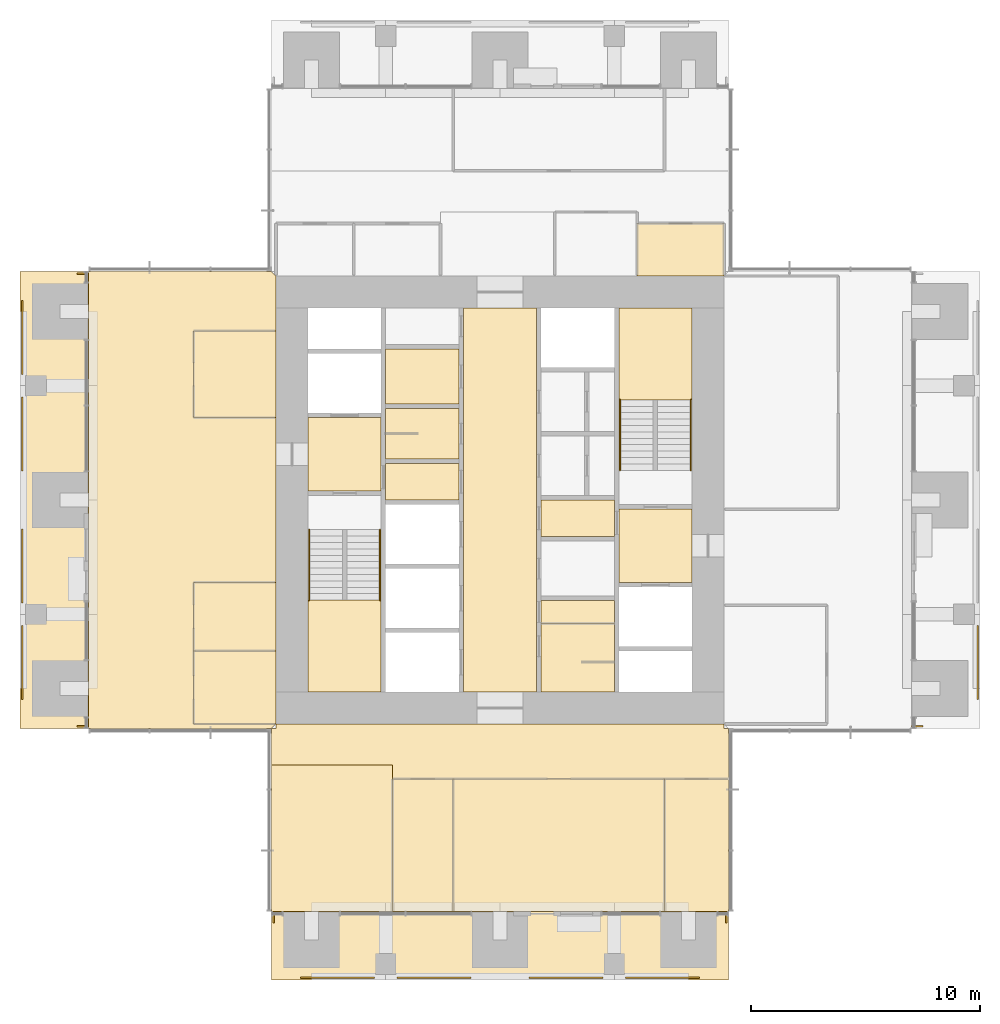
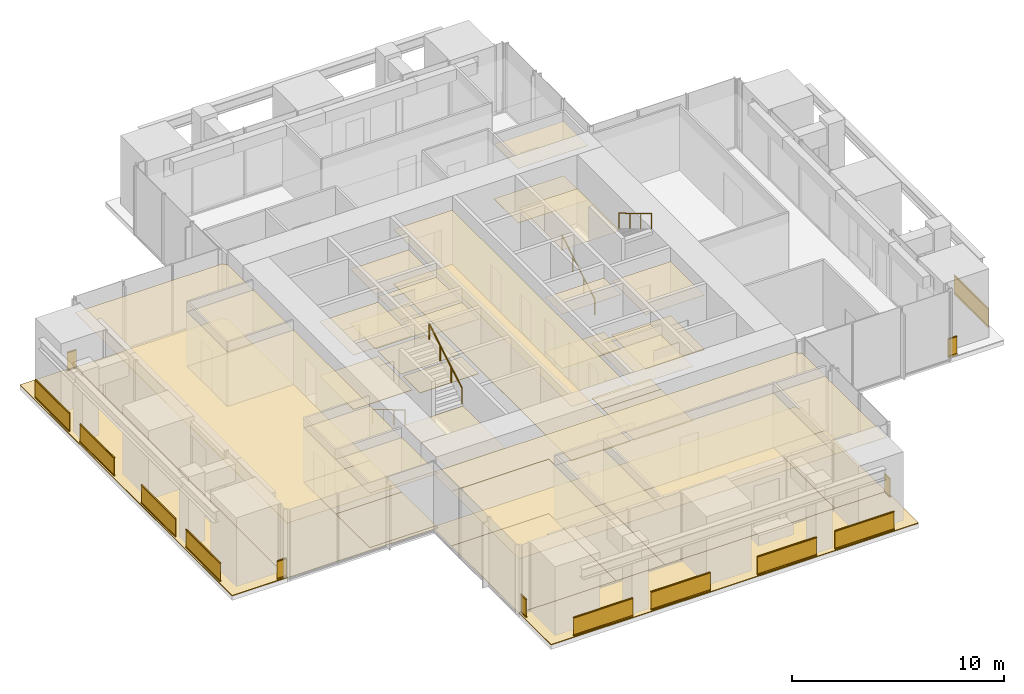
# One storey, part 15 of 17: 42 coverings, 18 railings.
"""IFC4 building model written with IfcOpenShell, lengths in metres."""

from ifc_helpers import new_model, si_unit, direction, frame, origin, origin_2d, place, context, subcontext, project, spatial, polyline, rectangle, circle, outline, extrude, material, layer, layer_set, type_object, element, save


model = new_model("IFC4")

# Units and contexts
model_context = context("Model", 3, precision=1e-05, world=origin(), true_north=direction((0.0, 1.0)))
body_context = subcontext(model_context, "Body", "Model", "MODEL_VIEW")
ifc_project = project(units=[si_unit("LENGTHUNIT", "METRE"), si_unit("AREAUNIT", "SQUARE_METRE"), si_unit("VOLUMEUNIT", "CUBIC_METRE"), si_unit("PLANEANGLEUNIT", "RADIAN"), si_unit("MASSUNIT", "GRAM", prefix="KILO")], contexts=[model_context])

# Site, building, storey
site_placement = place(None, origin())
site = spatial("IfcSite", under=ifc_project, at=site_placement, CompositionType="ELEMENT")
building_placement = place(site_placement, origin())
building = spatial("IfcBuilding", under=site, at=building_placement, Name="Svetlomir Tower", CompositionType="ELEMENT")
storey_placement = place(building_placement, frame((0.0, 0.0, 218.5)))
storey = spatial("IfcBuildingStorey", under=building, at=storey_placement, Name="L52", CompositionType="ELEMENT", Elevation=218.5)

# Railings
ifc_material_1 = material(Name="Bronze anodised aluminium and laminated glass", Category="aluminium")
railing_type_1 = type_object("IfcRailingType", Name="BALCONY GUARD GR1 1100", PredefinedType="GUARDRAIL", material=ifc_material_1)
for number, where, name in (
    (1, (12.27490234375, 0.10009765625, 0.0), "Loggia guard S L52 bay 1"),
    (2, (16.5, 0.10009765625, 0.0), "Loggia guard S L52 bay 2"),
    (3, (22.27490234375, 0.10009765625, 0.0), "Loggia guard S L52 bay 3"),
    (4, (26.5, 0.10009765625, 0.0), "Loggia guard S L52 bay 4"),
):
    element("IfcRailing", number, at=place(storey_placement, frame(where)), inside=storey, type_object=railing_type_1, Name=name, PredefinedType="GUARDRAIL", context=body_context, shape_type="SweptSolid", body=[
        extrude(rectangle(XDim=0.06005859375, YDim=0.10009765625, at=origin_2d()), frame((0.0, 0.0, 0.050048828125), z_axis=(1.0, 0.0, 0.0), x_axis=(0.0, 1.0, 0.0)), (0.0, 0.0, 1.0), 3.22509765625),
        extrude(rectangle(XDim=0.021484375, YDim=0.960205078125, at=origin_2d()), frame((0.0, 0.0, 0.580078125), z_axis=(1.0, 0.0, 0.0), x_axis=(0.0, 1.0, 0.0)), (0.0, 0.0, 1.0), 3.22509765625),
        extrude(rectangle(XDim=0.06005859375, YDim=0.0400390625, at=origin_2d()), frame((0.0, 0.0, 1.080078125), z_axis=(1.0, 0.0, 0.0), x_axis=(0.0, 1.0, 0.0)), (0.0, 0.0, 1.0), 3.22509765625),
    ])
for number, where, name in (
    (5, (11.10009765625, 2.5, 0.0), "Loggia guard S L52 end 1"),
    (6, (30.89990234375, 2.5, 0.0), "Loggia guard S L52 end 2"),
):
    element("IfcRailing", number, at=place(storey_placement, frame(where)), inside=storey, type_object=railing_type_1, Name=name, PredefinedType="GUARDRAIL", context=body_context, shape_type="SweptSolid", body=[
        extrude(rectangle(XDim=0.06005859375, YDim=0.10009765625, at=origin_2d()), frame((0.0, 0.0, 0.050048828125), z_axis=(0.0, 1.0, 0.0), x_axis=(-1.0, 0.0, 0.0)), (0.0, 0.0, 1.0), 0.5),
        extrude(rectangle(XDim=0.021484375, YDim=0.960205078125, at=origin_2d()), frame((0.0, 0.0, 0.580078125), z_axis=(0.0, 1.0, 0.0), x_axis=(-1.0, 0.0, 0.0)), (0.0, 0.0, 1.0), 0.5),
        extrude(rectangle(XDim=0.06005859375, YDim=0.0400390625, at=origin_2d()), frame((0.0, 0.0, 1.080078125), z_axis=(0.0, 1.0, 0.0), x_axis=(-1.0, 0.0, 0.0)), (0.0, 0.0, 1.0), 0.5),
    ])
railing_1_placement = place(storey_placement, frame((41.89990234375, 12.27490234375, 0.0)))
element("IfcRailing", 7, at=railing_1_placement, inside=storey, type_object=railing_type_1, Name="Loggia guard E L52 bay 1", PredefinedType="GUARDRAIL", context=body_context, shape_type="SweptSolid", body=[
    extrude(rectangle(XDim=0.06005859375, YDim=0.10009765625, at=origin_2d()), frame((0.0, 0.0, 0.050048828125), z_axis=(0.0, 1.0, 0.0), x_axis=(-1.0, 0.0, 0.0)), (0.0, 0.0, 1.0), 3.22509765625),
    extrude(rectangle(XDim=0.021484375, YDim=0.960205078125, at=origin_2d()), frame((0.0, 0.0, 0.580078125), z_axis=(0.0, 1.0, 0.0), x_axis=(-1.0, 0.0, 0.0)), (0.0, 0.0, 1.0), 3.22509765625),
    extrude(rectangle(XDim=0.06005859375, YDim=0.0400390625, at=origin_2d()), frame((0.0, 0.0, 1.080078125), z_axis=(0.0, 1.0, 0.0), x_axis=(-1.0, 0.0, 0.0)), (0.0, 0.0, 1.0), 3.22509765625),
])
railing_2_placement = place(storey_placement, frame((39.5, 11.10009765625, 0.0)))
element("IfcRailing", 8, at=railing_2_placement, inside=storey, type_object=railing_type_1, Name="Loggia guard E L52 end 1", PredefinedType="GUARDRAIL", context=body_context, shape_type="SweptSolid", body=[
    extrude(rectangle(XDim=0.06005859375, YDim=0.10009765625, at=origin_2d()), frame((0.0, 0.0, 0.050048828125), z_axis=(-1.0, 0.0, 0.0), x_axis=(0.0, -1.0, 0.0)), (0.0, 0.0, 1.0), 0.5),
    extrude(rectangle(XDim=0.021484375, YDim=0.960205078125, at=origin_2d()), frame((0.0, 0.0, 0.580078125), z_axis=(-1.0, 0.0, 0.0), x_axis=(0.0, -1.0, 0.0)), (0.0, 0.0, 1.0), 0.5),
    extrude(rectangle(XDim=0.06005859375, YDim=0.0400390625, at=origin_2d()), frame((0.0, 0.0, 1.080078125), z_axis=(-1.0, 0.0, 0.0), x_axis=(0.0, -1.0, 0.0)), (0.0, 0.0, 1.0), 0.5),
])
for number, where, name in (
    (9, (0.10009765625, 12.27490234375, 0.0), "Loggia guard W L52 bay 1"),
    (10, (0.10009765625, 16.5, 0.0), "Loggia guard W L52 bay 2"),
    (11, (0.10009765625, 22.27490234375, 0.0), "Loggia guard W L52 bay 3"),
    (12, (0.10009765625, 26.5, 0.0), "Loggia guard W L52 bay 4"),
):
    element("IfcRailing", number, at=place(storey_placement, frame(where)), inside=storey, type_object=railing_type_1, Name=name, PredefinedType="GUARDRAIL", context=body_context, shape_type="SweptSolid", body=[
        extrude(rectangle(XDim=0.06005859375, YDim=0.10009765625, at=origin_2d()), frame((0.0, 0.0, 0.050048828125), z_axis=(0.0, 1.0, 0.0), x_axis=(-1.0, 0.0, 0.0)), (0.0, 0.0, 1.0), 3.22509765625),
        extrude(rectangle(XDim=0.021484375, YDim=0.960205078125, at=origin_2d()), frame((0.0, 0.0, 0.580078125), z_axis=(0.0, 1.0, 0.0), x_axis=(-1.0, 0.0, 0.0)), (0.0, 0.0, 1.0), 3.22509765625),
        extrude(rectangle(XDim=0.06005859375, YDim=0.0400390625, at=origin_2d()), frame((0.0, 0.0, 1.080078125), z_axis=(0.0, 1.0, 0.0), x_axis=(-1.0, 0.0, 0.0)), (0.0, 0.0, 1.0), 3.22509765625),
    ])
for number, where, name in (
    (13, (2.5, 11.10009765625, 0.0), "Loggia guard W L52 end 1"),
    (14, (2.5, 30.89990234375, 0.0), "Loggia guard W L52 end 2"),
):
    element("IfcRailing", number, at=place(storey_placement, frame(where)), inside=storey, type_object=railing_type_1, Name=name, PredefinedType="GUARDRAIL", context=body_context, shape_type="SweptSolid", body=[
        extrude(rectangle(XDim=0.06005859375, YDim=0.10009765625, at=origin_2d()), frame((0.0, 0.0, 0.050048828125), z_axis=(1.0, 0.0, 0.0), x_axis=(0.0, 1.0, 0.0)), (0.0, 0.0, 1.0), 0.5),
        extrude(rectangle(XDim=0.021484375, YDim=0.960205078125, at=origin_2d()), frame((0.0, 0.0, 0.580078125), z_axis=(1.0, 0.0, 0.0), x_axis=(0.0, 1.0, 0.0)), (0.0, 0.0, 1.0), 0.5),
        extrude(rectangle(XDim=0.06005859375, YDim=0.0400390625, at=origin_2d()), frame((0.0, 0.0, 1.080078125), z_axis=(1.0, 0.0, 0.0), x_axis=(0.0, 1.0, 0.0)), (0.0, 0.0, 1.0), 0.5),
    ])

# Coverings
ifc_material_2 = material(Name="Granite paving slabs on pedestals", Category="masonry")
ifc_layer_1 = layer(ifc_material_2, 0.0400390625)
ifc_layer_set_1 = layer_set([ifc_layer_1], Name="Granite paving slabs on pedestals")
covering_type_1 = type_object("IfcCoveringType", Name="BALCONY PAVING 40", PredefinedType="USERDEFINED", material=ifc_layer_set_1)
covering_1_placement = place(storey_placement, origin())
element("IfcCovering", 15, at=covering_1_placement, inside=storey, type_object=covering_type_1, Name="Loggia paving S L52", ObjectType="BALCONY PAVING", PredefinedType="USERDEFINED", context=body_context, shape_type="SweptSolid", body=[
    extrude(outline(polyline([(11.0, 0.0), (31.0, 0.0), (31.0, 3.0), (11.0, 3.0), (11.0, 0.0)])), origin(), (0.0, 0.0, 1.0), 0.0400390625),
])
covering_2_placement = place(storey_placement, origin())
element("IfcCovering", 16, at=covering_2_placement, inside=storey, type_object=covering_type_1, Name="Loggia paving W L52", ObjectType="BALCONY PAVING", PredefinedType="USERDEFINED", context=body_context, shape_type="SweptSolid", body=[
    extrude(outline(polyline([(0.0, 11.0), (3.0, 11.0), (3.0, 31.0), (0.0, 31.0), (0.0, 11.0)])), origin(), (0.0, 0.0, 1.0), 0.0400390625),
])
ifc_material_3 = material(Name="Carpet tile", Category="textile")
ifc_layer_2 = layer(ifc_material_3, 0.010009765625)
ifc_layer_set_2 = layer_set([ifc_layer_2], Name="Carpet tile")
covering_type_2 = type_object("IfcCoveringType", Name="CARPET TILE FLOOR 10", PredefinedType="FLOORING", material=ifc_layer_set_2)
covering_3_placement = place(storey_placement, origin())
element("IfcCovering", 17, at=covering_3_placement, inside=storey, type_object=covering_type_2, Name="Floor finish L52-18", PredefinedType="FLOORING", context=body_context, shape_type="SweptSolid", body=[
    extrude(outline(polyline([(16.300048828125, 3.0), (18.949951171875, 3.0), (18.949951171875, 8.800048828125), (16.300048828125, 8.800048828125), (16.300048828125, 3.0)])), origin(), (0.0, 0.0, 1.0), 0.010009765625),
])
covering_4_placement = place(storey_placement, origin())
element("IfcCovering", 18, at=covering_4_placement, inside=storey, type_object=covering_type_2, Name="Floor finish L52-19", PredefinedType="FLOORING", context=body_context, shape_type="SweptSolid", body=[
    extrude(outline(polyline([(18.949951171875, 3.0), (28.199951171875, 3.0), (28.199951171875, 8.800048828125), (18.949951171875, 8.800048828125), (18.949951171875, 3.0)])), origin(), (0.0, 0.0, 1.0), 0.010009765625),
])
covering_5_placement = place(storey_placement, origin())
element("IfcCovering", 19, at=covering_5_placement, inside=storey, type_object=covering_type_2, Name="Floor finish L52-20", PredefinedType="FLOORING", context=body_context, shape_type="SweptSolid", body=[
    extrude(outline(polyline([(28.199951171875, 3.0), (31.0, 3.0), (31.0, 8.800048828125), (28.199951171875, 8.800048828125), (28.199951171875, 3.0)])), origin(), (0.0, 0.0, 1.0), 0.010009765625),
])
covering_6_placement = place(storey_placement, origin())
element("IfcCovering", 20, at=covering_6_placement, inside=storey, type_object=covering_type_2, Name="Floor finish L52-26", PredefinedType="FLOORING", context=body_context, shape_type="SweptSolid", body=[
    extrude(outline(polyline([(27.0, 30.800048828125), (30.800048828125, 30.800048828125), (30.800048828125, 33.10009765625), (27.0, 33.10009765625), (27.0, 30.800048828125)])), origin(), (0.0, 0.0, 1.0), 0.010009765625),
])
covering_7_placement = place(storey_placement, origin())
element("IfcCovering", 21, at=covering_7_placement, inside=storey, type_object=covering_type_2, Name="Floor finish L52-28", PredefinedType="FLOORING", context=body_context, shape_type="SweptSolid", body=[
    extrude(outline(polyline([(7.60009765625, 11.199951171875), (11.199951171875, 11.199951171875), (11.199951171875, 14.39990234375), (7.60009765625, 14.39990234375), (7.60009765625, 11.199951171875)])), origin(), (0.0, 0.0, 1.0), 0.010009765625),
])
covering_8_placement = place(storey_placement, origin())
element("IfcCovering", 22, at=covering_8_placement, inside=storey, type_object=covering_type_2, Name="Floor finish L52-29", PredefinedType="FLOORING", context=body_context, shape_type="SweptSolid", body=[
    extrude(outline(polyline([(7.60009765625, 14.39990234375), (11.199951171875, 14.39990234375), (11.199951171875, 17.39990234375), (7.60009765625, 17.39990234375), (7.60009765625, 14.39990234375)])), origin(), (0.0, 0.0, 1.0), 0.010009765625),
])
covering_9_placement = place(storey_placement, origin())
element("IfcCovering", 23, at=covering_9_placement, inside=storey, type_object=covering_type_2, Name="Floor finish L52-30", PredefinedType="FLOORING", context=body_context, shape_type="SweptSolid", body=[
    extrude(outline(polyline([(7.60009765625, 24.60009765625), (11.199951171875, 24.60009765625), (11.199951171875, 28.39990234375), (7.60009765625, 28.39990234375), (7.60009765625, 24.60009765625)])), origin(), (0.0, 0.0, 1.0), 0.010009765625),
])
covering_10_placement = place(storey_placement, origin())
element("IfcCovering", 24, at=covering_10_placement, inside=storey, type_object=covering_type_2, Name="Floor finish L52-31", PredefinedType="FLOORING", context=body_context, shape_type="SweptSolid", body=[
    extrude(outline(polyline([(16.300048828125, 8.800048828125), (16.300048828125, 9.39990234375), (11.0, 9.39990234375), (11.0, 11.0), (11.199951171875, 11.0), (11.199951171875, 11.199951171875), (30.800048828125, 11.199951171875), (30.800048828125, 11.0), (31.0, 11.0), (31.0, 8.800048828125), (16.300048828125, 8.800048828125)])), origin(), (0.0, 0.0, 1.0), 0.010009765625),
])
covering_11_placement = place(storey_placement, origin())
element("IfcCovering", 25, at=covering_11_placement, inside=storey, type_object=covering_type_2, Name="Floor finish L52-33", PredefinedType="FLOORING", context=body_context, shape_type="SweptSolid", body=[
    extrude(outline(polyline([(16.300048828125, 9.39990234375), (16.300048828125, 3.0), (11.0, 3.0), (11.0, 9.39990234375), (16.300048828125, 9.39990234375)])), origin(), (0.0, 0.0, 1.0), 0.010009765625),
])
covering_12_placement = place(storey_placement, origin())
element("IfcCovering", 26, at=covering_12_placement, inside=storey, type_object=covering_type_2, Name="Floor finish L52-38", PredefinedType="FLOORING", context=body_context, shape_type="SweptSolid", body=[
    extrude(outline(polyline([(3.0, 31.0), (11.0, 31.0), (11.199951171875, 30.800048828125), (11.199951171875, 28.39990234375), (7.60009765625, 28.39990234375), (7.60009765625, 24.60009765625), (11.199951171875, 24.60009765625), (11.199951171875, 17.39990234375), (7.60009765625, 17.39990234375), (7.60009765625, 11.199951171875), (11.199951171875, 11.199951171875), (11.0, 11.0), (3.0, 11.0), (3.0, 31.0)])), origin(), (0.0, 0.0, 1.0), 0.010009765625),
])
ifc_material_4 = material(Name="Ceramic floor tile", Category="ceramic")
ifc_layer_3 = layer(ifc_material_4, 0.014892578125)
ifc_layer_set_3 = layer_set([ifc_layer_3], Name="Ceramic floor tile")
covering_type_3 = type_object("IfcCoveringType", Name="CERAMIC TILE FLOOR 15", PredefinedType="FLOORING", material=ifc_layer_set_3)
covering_13_placement = place(storey_placement, origin())
element("IfcCovering", 27, at=covering_13_placement, inside=storey, type_object=covering_type_3, Name="Floor finish L52-04", PredefinedType="FLOORING", context=body_context, shape_type="SweptSolid", body=[
    extrude(outline(polyline([(16.0, 22.800048828125), (19.199951171875, 22.800048828125), (19.199951171875, 25.0), (16.0, 25.0), (16.0, 22.800048828125)])), origin(), (0.0, 0.0, 1.0), 0.014892578125),
])
covering_14_placement = place(storey_placement, origin())
element("IfcCovering", 28, at=covering_14_placement, inside=storey, type_object=covering_type_3, Name="Floor finish L52-05", PredefinedType="FLOORING", context=body_context, shape_type="SweptSolid", body=[
    extrude(outline(polyline([(16.0, 25.199951171875), (19.199951171875, 25.199951171875), (19.199951171875, 27.60009765625), (16.0, 27.60009765625), (16.0, 25.199951171875)])), origin(), (0.0, 0.0, 1.0), 0.014892578125),
])
covering_15_placement = place(storey_placement, origin())
element("IfcCovering", 29, at=covering_15_placement, inside=storey, type_object=covering_type_3, Name="Floor finish L52-08", PredefinedType="FLOORING", context=body_context, shape_type="SweptSolid", body=[
    extrude(outline(polyline([(22.800048828125, 15.60009765625), (26.0, 15.60009765625), (26.0, 16.60009765625), (22.800048828125, 16.60009765625), (22.800048828125, 15.60009765625)])), origin(), (0.0, 0.0, 1.0), 0.014892578125),
])
covering_16_placement = place(storey_placement, origin())
element("IfcCovering", 30, at=covering_16_placement, inside=storey, type_object=covering_type_3, Name="Floor finish L52-09", PredefinedType="FLOORING", context=body_context, shape_type="SweptSolid", body=[
    extrude(outline(polyline([(22.800048828125, 12.60009765625), (26.0, 12.60009765625), (26.0, 15.60009765625), (22.800048828125, 15.60009765625), (22.800048828125, 12.60009765625)])), origin(), (0.0, 0.0, 1.0), 0.014892578125),
])

# Railings
ifc_material_5 = material(Name="Stainless steel", Category="steel")
railing_type_2 = type_object("IfcRailingType", Name="HANDRAIL HR1 900", PredefinedType="HANDRAIL", material=ifc_material_5)
railing_3_placement = place(storey_placement, frame((12.64990234375, 19.699951171875, 0.166748046875)))
element("IfcRailing", 31, at=railing_3_placement, inside=storey, type_object=railing_type_2, Name="Handrail S1 flight 1 L52", PredefinedType="HANDRAIL", context=body_context, shape_type="SweptSolid", body=[
    extrude(circle(Radius=0.02392578125, at=origin_2d()), frame((0.0, 0.0, 0.8759765625), z_axis=(0.0, -0.859290745958, 0.51148745235), x_axis=(1.0, 0.0, 0.0)), (0.0, 0.0, 1.0), 3.584228515625),
    extrude(circle(Radius=0.02099609375, at=origin_2d()), origin(), (0.0, 0.0, 1.0), 0.851806640625),
    extrude(circle(Radius=0.02099609375, at=origin_2d()), frame((0.0, -1.026611328125, 0.611083984375)), (0.0, 0.0, 1.0), 0.851806640625),
    extrude(circle(Radius=0.02099609375, at=origin_2d()), frame((0.0, -2.05322265625, 1.22216796875)), (0.0, 0.0, 1.0), 0.851806640625),
    extrude(circle(Radius=0.02099609375, at=origin_2d()), frame((0.0, -3.079833984375, 1.833251953125)), (0.0, 0.0, 1.0), 0.851806640625),
])
for number, where, name in (
    (32, (15.75, 16.6201171875, 2.166748046875), "Handrail S1 flight 2 L52"),
    (33, (26.25, 22.300048828125, 0.166748046875), "Handrail S2 flight 1 L52"),
):
    element("IfcRailing", number, at=place(storey_placement, frame(where)), inside=storey, type_object=railing_type_2, Name=name, PredefinedType="HANDRAIL", context=body_context, shape_type="SweptSolid", body=[
        extrude(circle(Radius=0.02392578125, at=origin_2d()), frame((0.0, 0.0, 0.8759765625), z_axis=(0.0, 0.859290745958, 0.51148745235), x_axis=(-1.0, 0.0, 0.0)), (0.0, 0.0, 1.0), 3.584228515625),
        extrude(circle(Radius=0.02099609375, at=origin_2d()), origin(), (0.0, 0.0, 1.0), 0.851806640625),
        extrude(circle(Radius=0.02099609375, at=origin_2d()), frame((0.0, 1.026611328125, 0.611083984375)), (0.0, 0.0, 1.0), 0.851806640625),
        extrude(circle(Radius=0.02099609375, at=origin_2d()), frame((0.0, 2.05322265625, 1.22216796875)), (0.0, 0.0, 1.0), 0.851806640625),
        extrude(circle(Radius=0.02099609375, at=origin_2d()), frame((0.0, 3.079833984375, 1.833251953125)), (0.0, 0.0, 1.0), 0.851806640625),
    ])
railing_4_placement = place(storey_placement, frame((29.35009765625, 25.3798828125, 2.166748046875)))
element("IfcRailing", 34, at=railing_4_placement, inside=storey, type_object=railing_type_2, Name="Handrail S2 flight 2 L52", PredefinedType="HANDRAIL", context=body_context, shape_type="SweptSolid", body=[
    extrude(circle(Radius=0.02392578125, at=origin_2d()), frame((0.0, 0.0, 0.8759765625), z_axis=(0.0, -0.859290745958, 0.51148745235), x_axis=(1.0, 0.0, 0.0)), (0.0, 0.0, 1.0), 3.584228515625),
    extrude(circle(Radius=0.02099609375, at=origin_2d()), origin(), (0.0, 0.0, 1.0), 0.851806640625),
    extrude(circle(Radius=0.02099609375, at=origin_2d()), frame((0.0, -1.026611328125, 0.611083984375)), (0.0, 0.0, 1.0), 0.851806640625),
    extrude(circle(Radius=0.02099609375, at=origin_2d()), frame((0.0, -2.05322265625, 1.22216796875)), (0.0, 0.0, 1.0), 0.851806640625),
    extrude(circle(Radius=0.02099609375, at=origin_2d()), frame((0.0, -3.079833984375, 1.833251953125)), (0.0, 0.0, 1.0), 0.851806640625),
])

# Coverings
ifc_material_6 = material(Name="Moisture resistant plasterboard ceiling", Category="gypsum")
ifc_layer_4 = layer(ifc_material_6, 0.012451171875)
ifc_layer_set_4 = layer_set([ifc_layer_4], Name="Moisture resistant plasterboard ceiling")
covering_type_4 = type_object("IfcCoveringType", Name="MOISTURE RESISTANT CEILING 12.5", PredefinedType="CEILING", material=ifc_layer_set_4)
covering_17_placement = place(storey_placement, frame((0.0, 0.0, 3.137451171875)))
element("IfcCovering", 35, at=covering_17_placement, inside=storey, type_object=covering_type_4, Name="Ceiling L52-04", PredefinedType="CEILING", context=body_context, shape_type="SweptSolid", body=[
    extrude(outline(polyline([(16.0, 22.800048828125), (19.199951171875, 22.800048828125), (19.199951171875, 25.0), (16.0, 25.0), (16.0, 22.800048828125)])), origin(), (0.0, 0.0, 1.0), 0.012451171875),
])
covering_18_placement = place(storey_placement, frame((0.0, 0.0, 3.137451171875)))
element("IfcCovering", 36, at=covering_18_placement, inside=storey, type_object=covering_type_4, Name="Ceiling L52-05", PredefinedType="CEILING", context=body_context, shape_type="SweptSolid", body=[
    extrude(outline(polyline([(16.0, 25.199951171875), (19.199951171875, 25.199951171875), (19.199951171875, 27.60009765625), (16.0, 27.60009765625), (16.0, 25.199951171875)])), origin(), (0.0, 0.0, 1.0), 0.012451171875),
])
covering_19_placement = place(storey_placement, frame((0.0, 0.0, 3.137451171875)))
element("IfcCovering", 37, at=covering_19_placement, inside=storey, type_object=covering_type_4, Name="Ceiling L52-08", PredefinedType="CEILING", context=body_context, shape_type="SweptSolid", body=[
    extrude(outline(polyline([(22.800048828125, 15.60009765625), (26.0, 15.60009765625), (26.0, 16.60009765625), (22.800048828125, 16.60009765625), (22.800048828125, 15.60009765625)])), origin(), (0.0, 0.0, 1.0), 0.012451171875),
])
covering_20_placement = place(storey_placement, frame((0.0, 0.0, 3.137451171875)))
element("IfcCovering", 38, at=covering_20_placement, inside=storey, type_object=covering_type_4, Name="Ceiling L52-09", PredefinedType="CEILING", context=body_context, shape_type="SweptSolid", body=[
    extrude(outline(polyline([(22.800048828125, 12.60009765625), (26.0, 12.60009765625), (26.0, 15.60009765625), (22.800048828125, 15.60009765625), (22.800048828125, 12.60009765625)])), origin(), (0.0, 0.0, 1.0), 0.012451171875),
])
ifc_material_7 = material(Name="Gypsum plasterboard ceiling", Category="gypsum")
ifc_layer_5 = layer(ifc_material_7, 0.014892578125)
ifc_layer_set_5 = layer_set([ifc_layer_5], Name="Gypsum plasterboard ceiling")
covering_type_5 = type_object("IfcCoveringType", Name="PLASTERBOARD CEILING 15", PredefinedType="CEILING", material=ifc_layer_set_5)
covering_21_placement = place(storey_placement, frame((0.0, 0.0, 3.135009765625)))
element("IfcCovering", 39, at=covering_21_placement, inside=storey, type_object=covering_type_5, Name="Ceiling L52-02", PredefinedType="CEILING", context=body_context, shape_type="SweptSolid", body=[
    extrude(outline(polyline([(12.60009765625, 21.39990234375), (15.800048828125, 21.39990234375), (15.800048828125, 24.60009765625), (12.60009765625, 24.60009765625), (12.60009765625, 21.39990234375)])), origin(), (0.0, 0.0, 1.0), 0.014892578125),
])
covering_22_placement = place(storey_placement, frame((0.0, 0.0, 3.135009765625)))
element("IfcCovering", 40, at=covering_22_placement, inside=storey, type_object=covering_type_5, Name="Ceiling L52-03", PredefinedType="CEILING", context=body_context, shape_type="SweptSolid", body=[
    extrude(outline(polyline([(16.0, 21.0), (19.199951171875, 21.0), (19.199951171875, 22.60009765625), (16.0, 22.60009765625), (16.0, 21.0)])), origin(), (0.0, 0.0, 1.0), 0.014892578125),
])
covering_23_placement = place(storey_placement, frame((0.0, 0.0, 3.135009765625)))
element("IfcCovering", 41, at=covering_23_placement, inside=storey, type_object=covering_type_5, Name="Ceiling L52-07", PredefinedType="CEILING", context=body_context, shape_type="SweptSolid", body=[
    extrude(outline(polyline([(19.39990234375, 12.60009765625), (22.60009765625, 12.60009765625), (22.60009765625, 29.39990234375), (19.39990234375, 29.39990234375), (19.39990234375, 12.60009765625)])), origin(), (0.0, 0.0, 1.0), 0.014892578125),
])
covering_24_placement = place(storey_placement, frame((0.0, 0.0, 3.135009765625)))
element("IfcCovering", 42, at=covering_24_placement, inside=storey, type_object=covering_type_5, Name="Ceiling L52-11", PredefinedType="CEILING", context=body_context, shape_type="SweptSolid", body=[
    extrude(outline(polyline([(22.800048828125, 19.39990234375), (26.0, 19.39990234375), (26.0, 21.0), (22.800048828125, 21.0), (22.800048828125, 19.39990234375)])), origin(), (0.0, 0.0, 1.0), 0.014892578125),
])
covering_25_placement = place(storey_placement, frame((0.0, 0.0, 3.135009765625)))
element("IfcCovering", 43, at=covering_25_placement, inside=storey, type_object=covering_type_5, Name="Ceiling L52-12", PredefinedType="CEILING", context=body_context, shape_type="SweptSolid", body=[
    extrude(outline(polyline([(26.199951171875, 17.39990234375), (29.39990234375, 17.39990234375), (29.39990234375, 20.60009765625), (26.199951171875, 20.60009765625), (26.199951171875, 17.39990234375)])), origin(), (0.0, 0.0, 1.0), 0.014892578125),
])
ifc_material_8 = material(Name="Studded rubber floor finish", Category="rubber")
ifc_layer_6 = layer(ifc_material_8, 0.006103515625)
ifc_layer_set_6 = layer_set([ifc_layer_6], Name="Studded rubber floor finish")
covering_type_6 = type_object("IfcCoveringType", Name="RUBBER LANDING FINISH 6", PredefinedType="FLOORING", material=ifc_layer_set_6)
covering_26_placement = place(storey_placement, frame((0.0, 0.0, 2.0)))
element("IfcCovering", 44, at=covering_26_placement, inside=storey, type_object=covering_type_6, Name="Stair S1 landing finish L52", PredefinedType="FLOORING", context=body_context, shape_type="SweptSolid", body=[
    extrude(outline(polyline([(12.60009765625, 12.60009765625), (15.800048828125, 12.60009765625), (15.800048828125, 16.6201171875), (12.60009765625, 16.6201171875), (12.60009765625, 12.60009765625)])), origin(), (0.0, 0.0, 1.0), 0.006103515625),
])
covering_27_placement = place(storey_placement, frame((0.0, 0.0, 2.0)))
element("IfcCovering", 45, at=covering_27_placement, inside=storey, type_object=covering_type_6, Name="Stair S2 landing finish L52", PredefinedType="FLOORING", context=body_context, shape_type="SweptSolid", body=[
    extrude(outline(polyline([(26.199951171875, 25.3798828125), (29.39990234375, 25.3798828125), (29.39990234375, 29.39990234375), (26.199951171875, 29.39990234375), (26.199951171875, 25.3798828125)])), origin(), (0.0, 0.0, 1.0), 0.006103515625),
])
ifc_material_9 = material(Name="Mineral fibre ceiling tile", Category="mineral")
ifc_layer_7 = layer(ifc_material_9, 0.02001953125)
ifc_layer_set_7 = layer_set([ifc_layer_7], Name="Mineral fibre ceiling tile")
covering_type_7 = type_object("IfcCoveringType", Name="SUSPENDED CEILING 20", PredefinedType="CEILING", material=ifc_layer_set_7)
covering_28_placement = place(storey_placement, frame((0.0, 0.0, 3.1298828125)))
element("IfcCovering", 46, at=covering_28_placement, inside=storey, type_object=covering_type_7, Name="Ceiling L52-18", PredefinedType="CEILING", context=body_context, shape_type="SweptSolid", body=[
    extrude(outline(polyline([(16.300048828125, 3.0), (18.949951171875, 3.0), (18.949951171875, 8.800048828125), (16.300048828125, 8.800048828125), (16.300048828125, 3.0)])), origin(), (0.0, 0.0, 1.0), 0.02001953125),
])
covering_29_placement = place(storey_placement, frame((0.0, 0.0, 3.1298828125)))
element("IfcCovering", 47, at=covering_29_placement, inside=storey, type_object=covering_type_7, Name="Ceiling L52-19", PredefinedType="CEILING", context=body_context, shape_type="SweptSolid", body=[
    extrude(outline(polyline([(18.949951171875, 3.0), (28.199951171875, 3.0), (28.199951171875, 8.800048828125), (18.949951171875, 8.800048828125), (18.949951171875, 3.0)])), origin(), (0.0, 0.0, 1.0), 0.02001953125),
])
covering_30_placement = place(storey_placement, frame((0.0, 0.0, 3.1298828125)))
element("IfcCovering", 48, at=covering_30_placement, inside=storey, type_object=covering_type_7, Name="Ceiling L52-20", PredefinedType="CEILING", context=body_context, shape_type="SweptSolid", body=[
    extrude(outline(polyline([(28.199951171875, 3.0), (31.0, 3.0), (31.0, 8.800048828125), (28.199951171875, 8.800048828125), (28.199951171875, 3.0)])), origin(), (0.0, 0.0, 1.0), 0.02001953125),
])
covering_31_placement = place(storey_placement, frame((0.0, 0.0, 3.1298828125)))
element("IfcCovering", 49, at=covering_31_placement, inside=storey, type_object=covering_type_7, Name="Ceiling L52-26", PredefinedType="CEILING", context=body_context, shape_type="SweptSolid", body=[
    extrude(outline(polyline([(27.0, 30.800048828125), (30.800048828125, 30.800048828125), (30.800048828125, 33.10009765625), (27.0, 33.10009765625), (27.0, 30.800048828125)])), origin(), (0.0, 0.0, 1.0), 0.02001953125),
])
covering_32_placement = place(storey_placement, frame((0.0, 0.0, 3.1298828125)))
element("IfcCovering", 50, at=covering_32_placement, inside=storey, type_object=covering_type_7, Name="Ceiling L52-28", PredefinedType="CEILING", context=body_context, shape_type="SweptSolid", body=[
    extrude(outline(polyline([(7.60009765625, 11.199951171875), (11.199951171875, 11.199951171875), (11.199951171875, 14.39990234375), (7.60009765625, 14.39990234375), (7.60009765625, 11.199951171875)])), origin(), (0.0, 0.0, 1.0), 0.02001953125),
])
covering_33_placement = place(storey_placement, frame((0.0, 0.0, 3.1298828125)))
element("IfcCovering", 51, at=covering_33_placement, inside=storey, type_object=covering_type_7, Name="Ceiling L52-29", PredefinedType="CEILING", context=body_context, shape_type="SweptSolid", body=[
    extrude(outline(polyline([(7.60009765625, 14.39990234375), (11.199951171875, 14.39990234375), (11.199951171875, 17.39990234375), (7.60009765625, 17.39990234375), (7.60009765625, 14.39990234375)])), origin(), (0.0, 0.0, 1.0), 0.02001953125),
])
covering_34_placement = place(storey_placement, frame((0.0, 0.0, 3.1298828125)))
element("IfcCovering", 52, at=covering_34_placement, inside=storey, type_object=covering_type_7, Name="Ceiling L52-30", PredefinedType="CEILING", context=body_context, shape_type="SweptSolid", body=[
    extrude(outline(polyline([(7.60009765625, 24.60009765625), (11.199951171875, 24.60009765625), (11.199951171875, 28.39990234375), (7.60009765625, 28.39990234375), (7.60009765625, 24.60009765625)])), origin(), (0.0, 0.0, 1.0), 0.02001953125),
])
covering_35_placement = place(storey_placement, frame((0.0, 0.0, 3.1298828125)))
element("IfcCovering", 53, at=covering_35_placement, inside=storey, type_object=covering_type_7, Name="Ceiling L52-31", PredefinedType="CEILING", context=body_context, shape_type="SweptSolid", body=[
    extrude(outline(polyline([(16.300048828125, 8.800048828125), (16.300048828125, 9.39990234375), (11.0, 9.39990234375), (11.0, 11.0), (11.199951171875, 11.0), (11.199951171875, 11.199951171875), (30.800048828125, 11.199951171875), (30.800048828125, 11.0), (31.0, 11.0), (31.0, 8.800048828125), (16.300048828125, 8.800048828125)])), origin(), (0.0, 0.0, 1.0), 0.02001953125),
])
covering_36_placement = place(storey_placement, frame((0.0, 0.0, 3.1298828125)))
element("IfcCovering", 54, at=covering_36_placement, inside=storey, type_object=covering_type_7, Name="Ceiling L52-33", PredefinedType="CEILING", context=body_context, shape_type="SweptSolid", body=[
    extrude(outline(polyline([(16.300048828125, 9.39990234375), (16.300048828125, 3.0), (11.0, 3.0), (11.0, 9.39990234375), (16.300048828125, 9.39990234375)])), origin(), (0.0, 0.0, 1.0), 0.02001953125),
])
covering_37_placement = place(storey_placement, frame((0.0, 0.0, 3.1298828125)))
element("IfcCovering", 55, at=covering_37_placement, inside=storey, type_object=covering_type_7, Name="Ceiling L52-38", PredefinedType="CEILING", context=body_context, shape_type="SweptSolid", body=[
    extrude(outline(polyline([(3.0, 31.0), (11.0, 31.0), (11.199951171875, 30.800048828125), (11.199951171875, 28.39990234375), (7.60009765625, 28.39990234375), (7.60009765625, 24.60009765625), (11.199951171875, 24.60009765625), (11.199951171875, 17.39990234375), (7.60009765625, 17.39990234375), (7.60009765625, 11.199951171875), (11.199951171875, 11.199951171875), (11.0, 11.0), (3.0, 11.0), (3.0, 31.0)])), origin(), (0.0, 0.0, 1.0), 0.02001953125),
])
ifc_material_10 = material(Name="Bronze-aggregate terrazzo", Category="stone")
ifc_layer_8 = layer(ifc_material_10, 0.030029296875)
ifc_layer_set_8 = layer_set([ifc_layer_8], Name="Bronze-aggregate terrazzo")
covering_type_8 = type_object("IfcCoveringType", Name="TERRAZZO FLOOR 30", PredefinedType="FLOORING", material=ifc_layer_set_8)
covering_38_placement = place(storey_placement, origin())
element("IfcCovering", 56, at=covering_38_placement, inside=storey, type_object=covering_type_8, Name="Floor finish L52-02", PredefinedType="FLOORING", context=body_context, shape_type="SweptSolid", body=[
    extrude(outline(polyline([(12.60009765625, 21.39990234375), (15.800048828125, 21.39990234375), (15.800048828125, 24.60009765625), (12.60009765625, 24.60009765625), (12.60009765625, 21.39990234375)])), origin(), (0.0, 0.0, 1.0), 0.030029296875),
])
covering_39_placement = place(storey_placement, origin())
element("IfcCovering", 57, at=covering_39_placement, inside=storey, type_object=covering_type_8, Name="Floor finish L52-03", PredefinedType="FLOORING", context=body_context, shape_type="SweptSolid", body=[
    extrude(outline(polyline([(16.0, 21.0), (19.199951171875, 21.0), (19.199951171875, 22.60009765625), (16.0, 22.60009765625), (16.0, 21.0)])), origin(), (0.0, 0.0, 1.0), 0.030029296875),
])
covering_40_placement = place(storey_placement, origin())
element("IfcCovering", 58, at=covering_40_placement, inside=storey, type_object=covering_type_8, Name="Floor finish L52-07", PredefinedType="FLOORING", context=body_context, shape_type="SweptSolid", body=[
    extrude(outline(polyline([(19.39990234375, 12.60009765625), (22.60009765625, 12.60009765625), (22.60009765625, 29.39990234375), (19.39990234375, 29.39990234375), (19.39990234375, 12.60009765625)])), origin(), (0.0, 0.0, 1.0), 0.030029296875),
])
covering_41_placement = place(storey_placement, origin())
element("IfcCovering", 59, at=covering_41_placement, inside=storey, type_object=covering_type_8, Name="Floor finish L52-11", PredefinedType="FLOORING", context=body_context, shape_type="SweptSolid", body=[
    extrude(outline(polyline([(22.800048828125, 19.39990234375), (26.0, 19.39990234375), (26.0, 21.0), (22.800048828125, 21.0), (22.800048828125, 19.39990234375)])), origin(), (0.0, 0.0, 1.0), 0.030029296875),
])
covering_42_placement = place(storey_placement, origin())
element("IfcCovering", 60, at=covering_42_placement, inside=storey, type_object=covering_type_8, Name="Floor finish L52-12", PredefinedType="FLOORING", context=body_context, shape_type="SweptSolid", body=[
    extrude(outline(polyline([(26.199951171875, 17.39990234375), (29.39990234375, 17.39990234375), (29.39990234375, 20.60009765625), (26.199951171875, 20.60009765625), (26.199951171875, 17.39990234375)])), origin(), (0.0, 0.0, 1.0), 0.030029296875),
])

save(model, "model.ifc")
